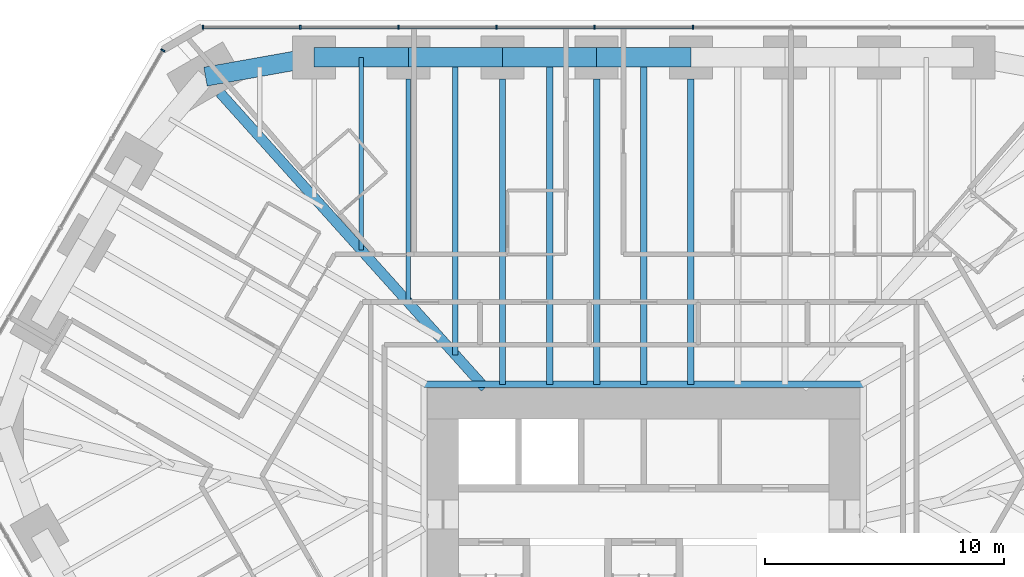
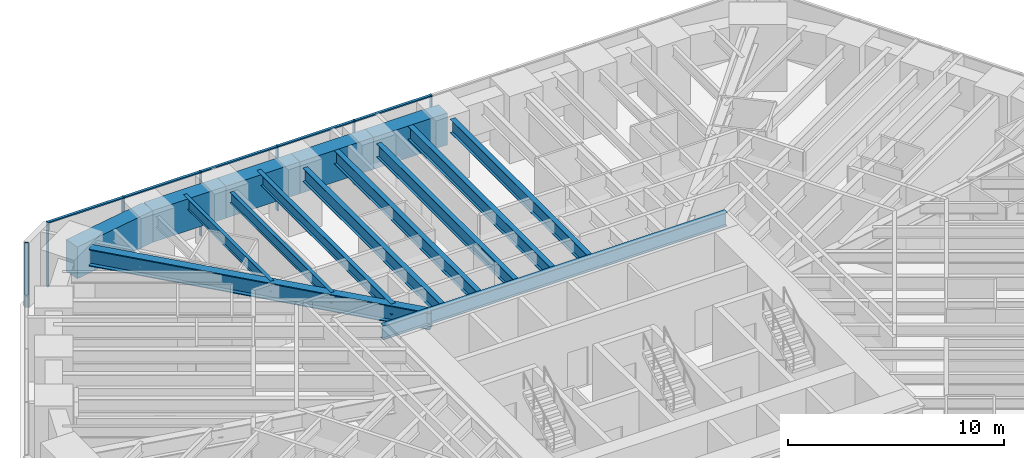
# One storey, part 8 of 17: 15 beams, 12 members, 2 elements without a shape of their own.
"""IFC4 building model written with IfcOpenShell, lengths in metres."""

from ifc_helpers import new_model, si_unit, direction, frame, origin, origin_2d, place, context, subcontext, project, spatial, rectangle, i_section, extrude, material, material_profile, profile_set, type_object, element, aggregate, save


model = new_model("IFC4")

# Units and contexts
model_context = context("Model", 3, precision=1e-05, world=origin(), true_north=direction((0.0, 1.0)))
body_context = subcontext(model_context, "Body", "Model", "MODEL_VIEW")
ifc_project = project(units=[si_unit("LENGTHUNIT", "METRE"), si_unit("AREAUNIT", "SQUARE_METRE"), si_unit("VOLUMEUNIT", "CUBIC_METRE"), si_unit("PLANEANGLEUNIT", "RADIAN"), si_unit("MASSUNIT", "GRAM", prefix="KILO")], contexts=[model_context])

# Site, building, storey
site_placement = place(None, origin())
site = spatial("IfcSite", under=ifc_project, at=site_placement, CompositionType="ELEMENT")
building_placement = place(site_placement, origin())
building = spatial("IfcBuilding", under=site, at=building_placement, Name="Sandreach Pilgrim Tower", CompositionType="ELEMENT")
storey_placement = place(building_placement, frame((0.0, 0.0, 123.39990234375)))
storey = spatial("IfcBuildingStorey", under=building, at=storey_placement, Name="L30", CompositionType="ELEMENT", Elevation=123.39990234375)

# Curtain wall, members
ifc_material_1 = material(Name="Aluminium framed curtain wall", Category="aluminium")
curtain_wall_type = type_object("IfcCurtainWallType", Name="Hotel tower curtain wall", PredefinedType="NOTDEFINED", material=ifc_material_1)
curtain_wall_1_placement = place(storey_placement, origin())
curtain_wall_1 = element("IfcCurtainWall", 1, at=curtain_wall_1_placement, inside=storey, type_object=curtain_wall_type, Name="CW-2 L30 N", PredefinedType="NOTDEFINED")
ifc_material_2 = material(Name="Aluminium extrusion", Category="aluminium")
ifc_material_profile_1 = material_profile(ifc_material_2, rectangle(XDim=0.06494140625, YDim=0.179931640625, at=origin_2d()), Name="CW-2M 65X180")
ifc_profile_set_1 = profile_set([ifc_material_profile_1], Name="Aluminium extrusion")
member_type_1 = type_object("IfcMemberType", Name="CW-2 mullion", PredefinedType="MULLION", material=ifc_profile_set_1)
member_1_placement = place(storey_placement, frame((-18.448974609375, 22.493896484375, 0.0), z_axis=(0.0, 0.0, 1.0), x_axis=(1.0, 0.0, 0.0)))
member_1 = element("IfcMember", 2, at=member_1_placement, type_object=member_type_1, Name="CW-2 mullion 1", PredefinedType="MULLION", context=body_context, shape_type="SweptSolid", body=[
    extrude(rectangle(XDim=0.06494140625, YDim=0.179931640625, at=origin_2d()), origin(), (0.0, 0.0, 1.0), 3.64013671875),
])
member_2_placement = place(storey_placement, frame((-14.37451171875, 22.493896484375, 0.0), z_axis=(0.0, 0.0, 1.0), x_axis=(1.0, 0.0, 0.0)))
member_2 = element("IfcMember", 3, at=member_2_placement, type_object=member_type_1, Name="CW-2 mullion 2", PredefinedType="MULLION", context=body_context, shape_type="SweptSolid", body=[
    extrude(rectangle(XDim=0.06494140625, YDim=0.179931640625, at=origin_2d()), origin(), (0.0, 0.0, 1.0), 3.64013671875),
])
member_3_placement = place(storey_placement, frame((-10.267333984375, 22.493896484375, 0.0), z_axis=(0.0, 0.0, 1.0), x_axis=(1.0, 0.0, 0.0)))
member_3 = element("IfcMember", 4, at=member_3_placement, type_object=member_type_1, Name="CW-2 mullion 3", PredefinedType="MULLION", context=body_context, shape_type="SweptSolid", body=[
    extrude(rectangle(XDim=0.06494140625, YDim=0.179931640625, at=origin_2d()), origin(), (0.0, 0.0, 1.0), 3.64013671875),
])
member_4_placement = place(storey_placement, frame((-6.160400390625, 22.493896484375, 0.0), z_axis=(0.0, 0.0, 1.0), x_axis=(1.0, 0.0, 0.0)))
member_4 = element("IfcMember", 5, at=member_4_placement, type_object=member_type_1, Name="CW-2 mullion 4", PredefinedType="MULLION", context=body_context, shape_type="SweptSolid", body=[
    extrude(rectangle(XDim=0.06494140625, YDim=0.179931640625, at=origin_2d()), origin(), (0.0, 0.0, 1.0), 3.64013671875),
])
member_5_placement = place(storey_placement, frame((-2.053466796875, 22.493896484375, 0.0), z_axis=(0.0, 0.0, 1.0), x_axis=(1.0, 0.0, 0.0)))
member_5 = element("IfcMember", 6, at=member_5_placement, type_object=member_type_1, Name="CW-2 mullion 5", PredefinedType="MULLION", context=body_context, shape_type="SweptSolid", body=[
    extrude(rectangle(XDim=0.06494140625, YDim=0.179931640625, at=origin_2d()), origin(), (0.0, 0.0, 1.0), 3.64013671875),
])
member_6_placement = place(storey_placement, frame((2.053466796875, 22.493896484375, 0.0), z_axis=(0.0, 0.0, 1.0), x_axis=(1.0, 0.0, 0.0)))
member_6 = element("IfcMember", 7, at=member_6_placement, type_object=member_type_1, Name="CW-2 mullion 6", PredefinedType="MULLION", context=body_context, shape_type="SweptSolid", body=[
    extrude(rectangle(XDim=0.06494140625, YDim=0.179931640625, at=origin_2d()), origin(), (0.0, 0.0, 1.0), 3.64013671875),
])

# Curtain wall, member
curtain_wall_2_placement = place(storey_placement, origin())
curtain_wall_2 = element("IfcCurtainWall", 8, at=curtain_wall_2_placement, inside=storey, type_object=curtain_wall_type, Name="CW-2 L30 NW", PredefinedType="NOTDEFINED")
member_7_placement = place(storey_placement, frame((-20.125732421875, 21.525634765625, 0.0), z_axis=(0.0, 0.0, 1.0), x_axis=(0.5, 0.866025403784, 0.0)))
member_7 = element("IfcMember", 9, at=member_7_placement, type_object=member_type_1, Name="CW-2 mullion 5", PredefinedType="MULLION", context=body_context, shape_type="SweptSolid", body=[
    extrude(rectangle(XDim=0.06494140625, YDim=0.179931640625, at=origin_2d()), origin(), (0.0, 0.0, 1.0), 3.64013671875),
])
aggregate(curtain_wall_2, [member_7])

# Member
ifc_material_3 = material(Name="Aluminium extrusion", Category="aluminium")
ifc_material_profile_2 = material_profile(ifc_material_3, rectangle(XDim=0.139892578125, YDim=0.070068359375, at=origin_2d()), Name="CW-2T 140X70")
ifc_profile_set_2 = profile_set([ifc_material_profile_2], Name="Aluminium extrusion")
member_type_2 = type_object("IfcMemberType", Name="CW-2 transom", PredefinedType="USERDEFINED", material=ifc_profile_set_2)
member_8_placement = place(storey_placement, frame((-18.416259765625, 22.493896484375, 3.60498046875), z_axis=(1.0, 0.0, 0.0), x_axis=(0.0, 1.0, 0.0)))
member_8 = element("IfcMember", 10, at=member_8_placement, type_object=member_type_2, Name="CW-2 head transom 1", ObjectType="TRANSOM", PredefinedType="USERDEFINED", context=body_context, shape_type="SweptSolid", body=[
    extrude(rectangle(XDim=0.139892578125, YDim=0.070068359375, at=origin_2d()), origin(), (0.0, 0.0, 1.0), 4.00927734375),
])

member_9_placement = place(storey_placement, frame((-14.341796875, 22.493896484375, 3.60498046875), z_axis=(1.0, 0.0, 0.0), x_axis=(0.0, 1.0, 0.0)))
member_9 = element("IfcMember", 11, at=member_9_placement, type_object=member_type_2, Name="CW-2 head transom 2", ObjectType="TRANSOM", PredefinedType="USERDEFINED", context=body_context, shape_type="SweptSolid", body=[
    extrude(rectangle(XDim=0.139892578125, YDim=0.070068359375, at=origin_2d()), origin(), (0.0, 0.0, 1.0), 4.041748046875),
])

member_10_placement = place(storey_placement, frame((-10.23486328125, 22.493896484375, 3.60498046875), z_axis=(1.0, 0.0, 0.0), x_axis=(0.0, 1.0, 0.0)))
member_10 = element("IfcMember", 12, at=member_10_placement, type_object=member_type_2, Name="CW-2 head transom 3", ObjectType="TRANSOM", PredefinedType="USERDEFINED", context=body_context, shape_type="SweptSolid", body=[
    extrude(rectangle(XDim=0.139892578125, YDim=0.070068359375, at=origin_2d()), origin(), (0.0, 0.0, 1.0), 4.0419921875),
])

member_11_placement = place(storey_placement, frame((-6.1279296875, 22.493896484375, 3.60498046875), z_axis=(1.0, 0.0, 0.0), x_axis=(0.0, 1.0, 0.0)))
member_11 = element("IfcMember", 13, at=member_11_placement, type_object=member_type_2, Name="CW-2 head transom 4", ObjectType="TRANSOM", PredefinedType="USERDEFINED", context=body_context, shape_type="SweptSolid", body=[
    extrude(rectangle(XDim=0.139892578125, YDim=0.070068359375, at=origin_2d()), origin(), (0.0, 0.0, 1.0), 4.0419921875),
])

member_12_placement = place(storey_placement, frame((-2.02099609375, 22.493896484375, 3.60498046875), z_axis=(1.0, 0.0, 0.0), x_axis=(0.0, 1.0, 0.0)))
member_12 = element("IfcMember", 14, at=member_12_placement, type_object=member_type_2, Name="CW-2 head transom 5", ObjectType="TRANSOM", PredefinedType="USERDEFINED", context=body_context, shape_type="SweptSolid", body=[
    extrude(rectangle(XDim=0.139892578125, YDim=0.070068359375, at=origin_2d()), origin(), (0.0, 0.0, 1.0), 4.0419921875),
])

aggregate(curtain_wall_1, [member_1, member_2, member_3, member_4, member_5, member_6, member_8, member_9, member_10, member_11, member_12])

# Beams
ifc_material_4 = material(Name="Steel ASTM A992 Grade 50", Category="steel")
ifc_material_profile_3 = material_profile(ifc_material_4, i_section(OverallWidth=0.2666015625, OverallDepth=0.77978515625, WebThickness=0.0166015625, FlangeThickness=0.030029296875, at=origin_2d()), Name="W30X148")
ifc_profile_set_3 = profile_set([ifc_material_profile_3], Name="Steel ASTM A992 Grade 50")
beam_type_1 = type_object("IfcBeamType", Name="Core edge beam W30X148", PredefinedType="BEAM", material=ifc_profile_set_3)
beam_1_placement = place(storey_placement, frame((-9.193359375, 7.54345703125, 3.250244140625), z_axis=(1.0, 0.0, 0.0), x_axis=(0.0, 1.0, 0.0)))
element("IfcBeam", 15, at=beam_1_placement, inside=storey, type_object=beam_type_1, Name="BM L30 CEN", PredefinedType="BEAM", context=body_context, shape_type="SweptSolid", body=[
    extrude(i_section(OverallWidth=0.2666015625, OverallDepth=0.77978515625, WebThickness=0.0166015625, FlangeThickness=0.030029296875, at=origin_2d()), origin(), (0.0, 0.0, 1.0), 18.38671875),
])
ifc_material_5 = material(Name="Steel ASTM A992 Grade 50", Category="steel")
ifc_material_profile_4 = material_profile(ifc_material_5, i_section(OverallWidth=0.424072265625, OverallDepth=0.965087890625, WebThickness=0.028564453125, FlangeThickness=0.051025390625, at=origin_2d()), Name="W36X361")
ifc_profile_set_4 = profile_set([ifc_material_profile_4], Name="Steel ASTM A992 Grade 50")
beam_type_2 = type_object("IfcBeamType", Name="Corner girder W36X361", PredefinedType="BEAM", material=ifc_profile_set_4)
beam_2_placement = place(storey_placement, frame((-17.738037109375, 19.754150390625, 3.157470703125), z_axis=(0.66811374471, -0.74405915365, 0.0), x_axis=(0.74405915365, 0.66811374471, 0.0)))
element("IfcBeam", 16, at=beam_2_placement, inside=storey, type_object=beam_type_2, Name="BM L30 CG39", PredefinedType="BEAM", context=body_context, shape_type="SweptSolid", body=[
    extrude(i_section(OverallWidth=0.424072265625, OverallDepth=0.965087890625, WebThickness=0.028564453125, FlangeThickness=0.051025390625, at=origin_2d()), origin(), (0.0, 0.0, 1.0), 16.603759765625),
])
ifc_material_6 = material(Name="Steel ASTM A992 Grade 50", Category="steel")
ifc_material_profile_5 = material_profile(ifc_material_6, i_section(OverallWidth=0.1787109375, OverallDepth=0.60205078125, WebThickness=0.010986328125, FlangeThickness=0.014892578125, at=origin_2d()), Name="W24X62")
ifc_profile_set_5 = profile_set([ifc_material_profile_5], Name="Steel ASTM A992 Grade 50")
beam_type_3 = type_object("IfcBeamType", Name="Floor beam W24X62", PredefinedType="BEAM", material=ifc_profile_set_5)
beam_3_placement = place(storey_placement, frame((-9.849853515625, 20.333740234375, 3.339111328125), z_axis=(0.0, -1.0, 0.0), x_axis=(1.0, 0.0, 0.0)))
element("IfcBeam", 17, at=beam_3_placement, inside=storey, type_object=beam_type_3, Name="BM L30 F02", PredefinedType="BEAM", context=body_context, shape_type="SweptSolid", body=[
    extrude(i_section(OverallWidth=0.1787109375, OverallDepth=0.60205078125, WebThickness=0.010986328125, FlangeThickness=0.014892578125, at=origin_2d()), origin(), (0.0, 0.0, 1.0), 9.3642578125),
])
beam_4_placement = place(storey_placement, frame((-11.81982421875, 21.23388671875, 3.339111328125), z_axis=(0.0, -1.0, 0.0), x_axis=(1.0, 0.0, 0.0)))
element("IfcBeam", 18, at=beam_4_placement, inside=storey, type_object=beam_type_3, Name="BM L30 FM01", PredefinedType="BEAM", context=body_context, shape_type="SweptSolid", body=[
    extrude(i_section(OverallWidth=0.1787109375, OverallDepth=0.60205078125, WebThickness=0.010986328125, FlangeThickness=0.014892578125, at=origin_2d()), origin(), (0.0, 0.0, 1.0), 8.070556640625),
])
ifc_material_7 = material(Name="Steel ASTM A992 Grade 50", Category="steel")
ifc_material_profile_6 = material_profile(ifc_material_7, i_section(OverallWidth=0.23046875, OverallDepth=0.6171875, WebThickness=0.01318359375, FlangeThickness=0.022216796875, at=origin_2d()), Name="W24X94")
ifc_profile_set_6 = profile_set([ifc_material_profile_6], Name="Steel ASTM A992 Grade 50")
beam_type_4 = type_object("IfcBeamType", Name="Floor beam W24X94", PredefinedType="BEAM", material=ifc_profile_set_6)
beam_5_placement = place(storey_placement, frame((-7.8798828125, 21.23388671875, 3.33154296875), z_axis=(0.0, -1.0, 0.0), x_axis=(1.0, 0.0, 0.0)))
element("IfcBeam", 19, at=beam_5_placement, inside=storey, type_object=beam_type_4, Name="BM L30 FM02", PredefinedType="BEAM", context=body_context, shape_type="SweptSolid", body=[
    extrude(i_section(OverallWidth=0.23046875, OverallDepth=0.6171875, WebThickness=0.01318359375, FlangeThickness=0.022216796875, at=origin_2d()), origin(), (0.0, 0.0, 1.0), 12.458251953125),
])
ifc_material_8 = material(Name="Steel ASTM A992 Grade 50", Category="steel")
ifc_material_profile_7 = material_profile(ifc_material_8, i_section(OverallWidth=0.2666015625, OverallDepth=0.761962890625, WebThickness=0.014404296875, FlangeThickness=0.021484375, at=origin_2d()), Name="W30X116")
ifc_profile_set_7 = profile_set([ifc_material_profile_7], Name="Steel ASTM A992 Grade 50")
beam_type_5 = type_object("IfcBeamType", Name="Floor beam W30X116", PredefinedType="BEAM", material=ifc_profile_set_7)
for number, where, z_axis, x_axis, name in (
    (20, (-5.909912109375, 20.333740234375, 3.259033203125), (0.0, -1.0, 0.0), (1.0, 0.0, 0.0), "BM L30 F03"),
    (21, (-1.969970703125, 20.333740234375, 3.259033203125), (0.0, -1.0, 0.0), (1.0, 0.0, 0.0), "BM L30 F04"),
    (22, (1.969970703125, 20.333740234375, 3.259033203125), (0.0, -1.0, 0.0), (1.0, 0.0, 0.0), "BM L30 F05"),
):
    element("IfcBeam", number, at=place(storey_placement, frame(where, z_axis=z_axis, x_axis=x_axis)), inside=storey, type_object=beam_type_5, Name=name, PredefinedType="BEAM", context=body_context, shape_type="SweptSolid", body=[
        extrude(i_section(OverallWidth=0.2666015625, OverallDepth=0.761962890625, WebThickness=0.014404296875, FlangeThickness=0.021484375, at=origin_2d()), origin(), (0.0, 0.0, 1.0), 12.790283203125),
    ])
for number, where, z_axis, x_axis, name in (
    (23, (-3.93994140625, 21.23388671875, 3.259033203125), (0.0, -1.0, 0.0), (1.0, 0.0, 0.0), "BM L30 FM03"),
    (24, (0.0, 21.23388671875, 3.259033203125), (0.0, -1.0, 0.0), (1.0, 0.0, 0.0), "BM L30 FM04"),
):
    element("IfcBeam", number, at=place(storey_placement, frame(where, z_axis=z_axis, x_axis=x_axis)), inside=storey, type_object=beam_type_5, Name=name, PredefinedType="BEAM", context=body_context, shape_type="SweptSolid", body=[
        extrude(i_section(OverallWidth=0.2666015625, OverallDepth=0.761962890625, WebThickness=0.014404296875, FlangeThickness=0.021484375, at=origin_2d()), origin(), (0.0, 0.0, 1.0), 13.6904296875),
    ])
ifc_material_9 = material(Name="Concrete 10000 psi", Category="concrete")
ifc_material_profile_8 = material_profile(ifc_material_9, rectangle(XDim=0.800048828125, YDim=1.800048828125, at=origin_2d()), Name="RC800X1800")
ifc_profile_set_8 = profile_set([ifc_material_profile_8], Name="Concrete 10000 psi")
beam_type_6 = type_object("IfcBeamType", Name="Spandrel beam RC800X1800", PredefinedType="SPANDREL", material=ifc_profile_set_8)
for number, where, z_axis, x_axis, name in (
    (25, (-13.789794921875, 21.23388671875, 2.739990234375), (1.0, 0.0, 0.0), (0.0, 1.0, 0.0), "BM L30 SP01"),
    (26, (-9.849853515625, 21.23388671875, 2.739990234375), (1.0, 0.0, 0.0), (0.0, 1.0, 0.0), "BM L30 SP02"),
    (27, (-5.909912109375, 21.23388671875, 2.739990234375), (1.0, 0.0, 0.0), (0.0, 1.0, 0.0), "BM L30 SP03"),
    (28, (-1.969970703125, 21.23388671875, 2.739990234375), (1.0, 0.0, 0.0), (0.0, 1.0, 0.0), "BM L30 SP04"),
):
    element("IfcBeam", number, at=place(storey_placement, frame(where, z_axis=z_axis, x_axis=x_axis)), inside=storey, type_object=beam_type_6, Name=name, PredefinedType="SPANDREL", context=body_context, shape_type="SweptSolid", body=[
        extrude(rectangle(XDim=0.800048828125, YDim=1.800048828125, at=origin_2d()), origin(), (0.0, 0.0, 1.0), 3.93994140625),
    ])
beam_6_placement = place(storey_placement, frame((-18.33935546875, 20.423828125, 2.739990234375), z_axis=(0.984515938739, 0.175295083699, 0.0), x_axis=(-0.175295083699, 0.984515938739, 0.0)))
element("IfcBeam", 29, at=beam_6_placement, inside=storey, type_object=beam_type_6, Name="BM L30 SP39", PredefinedType="SPANDREL", context=body_context, shape_type="SweptSolid", body=[
    extrude(rectangle(XDim=0.800048828125, YDim=1.800048828125, at=origin_2d()), origin(), (0.0, 0.0, 1.0), 4.62109375),
])

save(model, "model.ifc")
